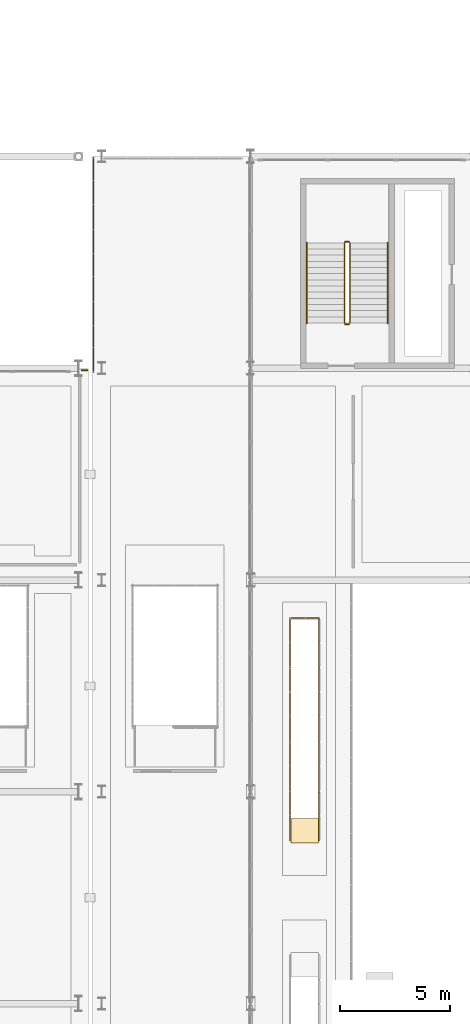
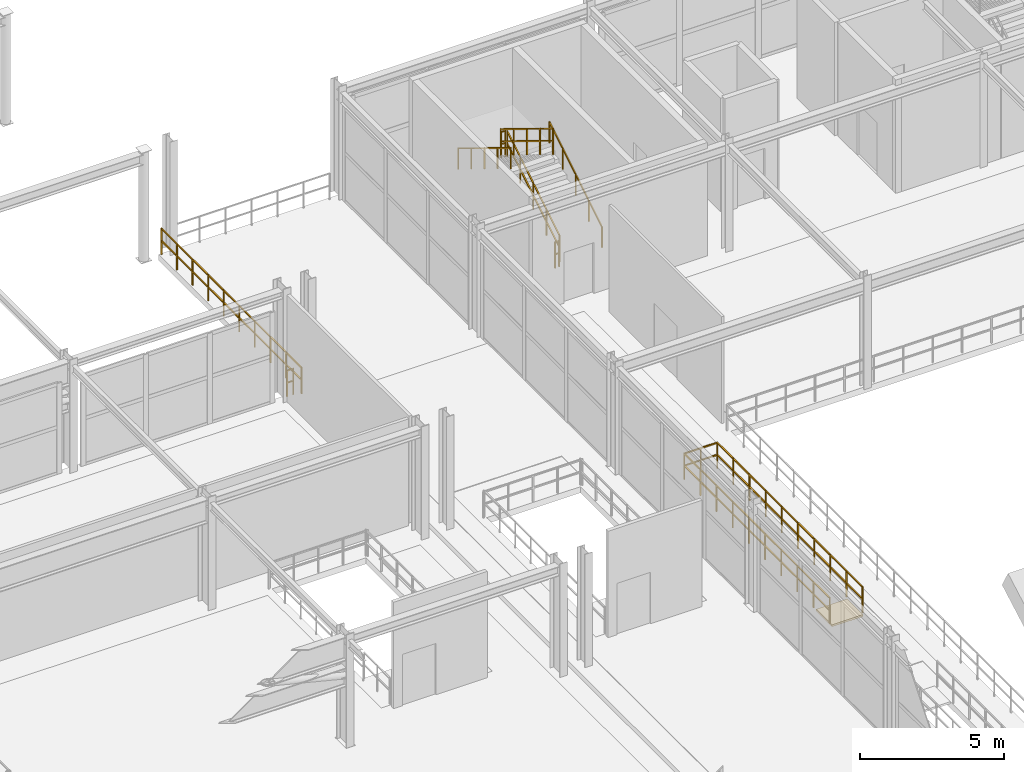
# One storey, part 106 of 125: 9 railings, 1 covering.
"""IFC4 building model written with IfcOpenShell, lengths in metres."""

import ifcopenshell
import ifcopenshell.guid

model = None  # the IFC model being written
_history = None  # IfcOwnerHistory: only IFC2X3 demands one
_inside = {}  # id of a spatial element -> (the spatial element, [elements in it])
_under = {}  # id of a project, library or spatial element -> (it, [spatial elements below it])
_declared = {}  # id of a project -> (the project, [libraries it declares])
_typed = {}  # id of a type object -> (the type object, [elements of that type])
_made_of = {}  # id of a material, layer set ... -> (it, [elements and type objects made of it])


def new_model(schema):
    """Start an empty IFC model of exactly this schema.

    Asked for "IFC4X3", IfcOpenShell would pick the latest addendum, in which some entities
    have other attributes; the version numbers below select the first issue.
    IFC2X3 requires an IfcOwnerHistory on every rooted entity: one is made here for all.
    """
    global model, _history
    if schema == "IFC4X3":
        model = ifcopenshell.file(schema_version=(4, 3, 0, 0))
    else:
        model = ifcopenshell.file(schema=schema)
    _inside.clear()
    _under.clear()
    _declared.clear()
    _typed.clear()
    _made_of.clear()
    _history = None
    if model.schema == "IFC2X3":
        org = make("IfcOrganization", Name="unknown")
        user = make(
            "IfcPersonAndOrganization",
            ThePerson=make("IfcPerson", FamilyName="unknown"),
            TheOrganization=org,
        )
        app = make(
            "IfcApplication",
            ApplicationDeveloper=org,
            Version="unknown",
            ApplicationFullName="unknown",
            ApplicationIdentifier="unknown",
        )
        _history = make(
            "IfcOwnerHistory",
            OwningUser=user,
            OwningApplication=app,
            ChangeAction="ADDED",
            CreationDate=0,
        )
    return model


def make(cls, **values):
    """One entity of the class cls with the attributes given. An attribute that is None is left unset."""
    return model.create_entity(
        cls, **{name: value for name, value in values.items() if value is not None}
    )


def rooted(cls, **values):
    """An entity with a GlobalId (a new one), such as an element, a storey or a relation."""
    return make(cls, GlobalId=ifcopenshell.guid.new(), OwnerHistory=_history, **values)


def si_unit(unit_type, name, prefix=None):
    """IfcSIUnit, for example si_unit("LENGTHUNIT", "METRE", prefix="MILLI")."""
    return make("IfcSIUnit", UnitType=unit_type, Prefix=prefix, Name=name)


def assignment(units):
    """IfcUnitAssignment: the units of a project."""
    return None if units is None else make("IfcUnitAssignment", Units=units)


def point(xyz):
    """IfcCartesianPoint."""
    return None if xyz is None else make("IfcCartesianPoint", Coordinates=xyz)


def direction(xyz):
    """IfcDirection."""
    return None if xyz is None else make("IfcDirection", DirectionRatios=xyz)


def frame(location, z_axis=None, x_axis=None):
    """IfcAxis2Placement3D, a coordinate frame: its origin and axes. An axis left out is left unset."""
    return make(
        "IfcAxis2Placement3D",
        Location=point(location),
        Axis=direction(z_axis),
        RefDirection=direction(x_axis),
    )


def frame_2d(location, x_axis=None):
    """IfcAxis2Placement2D, a coordinate frame in the plane: its origin and x axis."""
    return make(
        "IfcAxis2Placement2D", Location=point(location), RefDirection=direction(x_axis)
    )


def origin():
    """The frame at (0, 0, 0) with its axes left unset."""
    return frame((0.0, 0.0, 0.0))


def origin_2d():
    """The frame at (0, 0) in the plane with its x axis left unset."""
    return frame_2d((0.0, 0.0))


def place(relative_to, where):
    """IfcLocalPlacement: puts the frame where relative to a parent placement (None: the world)."""
    return make(
        "IfcLocalPlacement", PlacementRelTo=relative_to, RelativePlacement=where
    )


def context(
    kind, dimensions, precision=None, world=None, true_north=None, identifier=None
):
    """IfcGeometricRepresentationContext, for example the 3D "Model" context."""
    return make(
        "IfcGeometricRepresentationContext",
        ContextIdentifier=identifier,
        ContextType=kind,
        CoordinateSpaceDimension=dimensions,
        Precision=precision,
        WorldCoordinateSystem=world,
        TrueNorth=true_north,
    )


def subcontext(parent, identifier, kind, view, scale=None):
    """IfcGeometricRepresentationSubContext, for example "Body" below "Model"."""
    return make(
        "IfcGeometricRepresentationSubContext",
        ContextIdentifier=identifier,
        ContextType=kind,
        ParentContext=parent,
        TargetScale=scale,
        TargetView=view,
    )


def project(units=None, contexts=None):
    """IfcProject with its units and contexts."""
    return rooted(
        "IfcProject",
        Name="project",
        RepresentationContexts=contexts,
        UnitsInContext=assignment(units),
    )


def spatial(cls, under=None, at=None, **own):
    """A site, building, storey or space (cls), placed at a placement, below another one or the project."""
    s = rooted(cls, ObjectPlacement=at, **own)
    if under is not None:
        _under.setdefault(under.id(), (under, []))[1].append(s)
    return s


def polyline(points):
    """IfcPolyline through the points."""
    return make("IfcPolyline", Points=[point(p) for p in points])


def profile(cls, at=None, kind="AREA", **sizes):
    """A parametric profile (cls). Its sizes go by their IFC names, for example OverallWidth=200.0."""
    return make(cls, ProfileType=kind, Position=at, **sizes)


def rectangle(**sizes):
    """IfcRectangleProfileDef."""
    return profile("IfcRectangleProfileDef", **sizes)


def outline(outer, holes=None, kind="AREA"):
    """IfcArbitraryClosedProfileDef: a profile drawn as a closed curve; with holes, ...WithVoids."""
    if holes is None:
        return make("IfcArbitraryClosedProfileDef", ProfileType=kind, OuterCurve=outer)
    return make(
        "IfcArbitraryProfileDefWithVoids",
        ProfileType=kind,
        OuterCurve=outer,
        InnerCurves=holes,
    )


def extrude(swept, where, along, depth):
    """IfcExtrudedAreaSolid: the profile swept, set in the frame where, extruded along a direction by depth."""
    return make(
        "IfcExtrudedAreaSolid",
        SweptArea=swept,
        Position=where,
        ExtrudedDirection=direction(along),
        Depth=depth,
    )


def shape(context_of_items, identifier, shape_type, items):
    """IfcShapeRepresentation: the items that make up one representation, for example the "Body"."""
    return make(
        "IfcShapeRepresentation",
        ContextOfItems=context_of_items,
        RepresentationIdentifier=identifier,
        RepresentationType=shape_type,
        Items=items,
    )


def material(Name=None, Category=None):
    """IfcMaterial."""
    return make("IfcMaterial", Name=Name, Category=Category)


def layer(
    of_material, thickness, ventilated=None, Name=None, Category=None, Priority=None
):
    """IfcMaterialLayer: one layer of a wall or slab, of a material (None: an air gap)."""
    return make(
        "IfcMaterialLayer",
        Material=of_material,
        LayerThickness=thickness,
        IsVentilated=ventilated,
        Name=Name,
        Category=Category,
        Priority=Priority,
    )


def layer_set(layers, Name=None):
    """IfcMaterialLayerSet."""
    return make("IfcMaterialLayerSet", MaterialLayers=layers, LayerSetName=Name)


def made_of(thing, what):
    """Note that an element or type object is made of a material, layer set ...; save() writes the relation."""
    if what is not None:
        _made_of.setdefault(what.id(), (what, []))[1].append(thing)
    return thing


def type_object(cls, material=None, **own):
    """A type object (cls), such as IfcWallType, which elements share."""
    return made_of(rooted(cls, **own), material)


def element(
    cls,
    number,
    at=None,
    inside=None,
    cuts=None,
    type_object=None,
    material=None,
    context=None,
    identifier="Body",
    shape_type=None,
    held_by="IfcProductDefinitionShape",
    body=None,
    shapes=None,
    **own,
):
    """One element of the class cls, such as IfcWall. Its Tag is "e" and its number.

    at: its placement. inside: the storey or other place that contains it. cuts: it is an
    opening in that element (IfcRelVoidsElement). A single representation is given by context,
    identifier, shape_type and body (its items); several are given by shapes. held_by: the class
    of the entity that holds the representations. save() writes the other relations.
    """
    e = rooted(cls, Tag="e%d" % number, ObjectPlacement=at, **own)
    if body is not None:
        shapes = [shape(context, identifier, shape_type, body)]
    if shapes is not None:
        e.Representation = make(held_by, Representations=shapes)
    if inside is not None:
        _inside.setdefault(inside.id(), (inside, []))[1].append(e)
    if cuts is not None:
        rooted(
            "IfcRelVoidsElement", RelatingBuildingElement=cuts, RelatedOpeningElement=e
        )
    if type_object is not None:
        _typed.setdefault(type_object.id(), (type_object, []))[1].append(e)
    return made_of(e, material)


def aggregate(whole, parts):
    """IfcRelAggregates: a whole, such as a stair, and the parts it consists of."""
    return rooted("IfcRelAggregates", RelatingObject=whole, RelatedObjects=parts)


def save(model, path):
    """Write the relations noted so far, then the file.

    IfcRelAggregates (storeys below a building ...), IfcRelContainedInSpatialStructure (elements
    in a storey), IfcRelDefinesByType, IfcRelAssociatesMaterial and IfcRelDeclares: one each for
    every whole, place, type object, material and project.
    """
    for whole, parts in _under.values():
        aggregate(whole, parts)
    for where, things in _inside.values():
        rooted(
            "IfcRelContainedInSpatialStructure",
            RelatedElements=things,
            RelatingStructure=where,
        )
    for kind, things in _typed.values():
        rooted("IfcRelDefinesByType", RelatedObjects=things, RelatingType=kind)
    for what, things in _made_of.values():
        rooted("IfcRelAssociatesMaterial", RelatedObjects=things, RelatingMaterial=what)
    for by, libraries in _declared.values():
        rooted("IfcRelDeclares", RelatingContext=by, RelatedDefinitions=libraries)
    model.write(path)


model = new_model("IFC4")

# Units and contexts
model_context = context("Model", 3, precision=1e-05, world=origin(), true_north=direction((0.0, 1.0)))
body_context = subcontext(model_context, "Body", "Model", "MODEL_VIEW")
ifc_project = project(units=[si_unit("LENGTHUNIT", "METRE"), si_unit("AREAUNIT", "SQUARE_METRE"), si_unit("VOLUMEUNIT", "CUBIC_METRE"), si_unit("PLANEANGLEUNIT", "RADIAN"), si_unit("MASSUNIT", "GRAM", prefix="KILO")], contexts=[model_context])

# Site, building, storey
site_placement = place(None, origin())
site = spatial("IfcSite", under=ifc_project, at=site_placement, CompositionType="ELEMENT")
building_placement = place(site_placement, origin())
building = spatial("IfcBuilding", under=site, at=building_placement, Name="Myrtia Square Station", CompositionType="ELEMENT")
storey_placement = place(building_placement, frame((0.0, 0.0, 6.0)))
storey = spatial("IfcBuildingStorey", under=building, at=storey_placement, Name="L01", CompositionType="ELEMENT", Elevation=6.0)

# Covering
ifc_material_1 = material(Name="Terrazzo stone tile", Category="masonry")
ifc_layer = layer(ifc_material_1, 0.02490234375, Name="Terrazzo stone tile")
ifc_layer_set = layer_set([ifc_layer], Name="Terrazzo stone tile")
covering_type = type_object("IfcCoveringType", Name="COV-FLR-TERRAZZO", PredefinedType="FLOORING", material=ifc_layer_set)
covering_placement = place(storey_placement, frame((0.0, 0.0, -0.080078125)))
element("IfcCovering", 1, at=covering_placement, inside=storey, type_object=covering_type, Name="Escalator ESC-06 upper comb landing", PredefinedType="FLOORING", context=body_context, shape_type="SweptSolid", body=[
    extrude(outline(polyline([(81.179931640625, 64.889892578125), (82.419921875, 64.889892578125), (82.419921875, 65.989990234375), (81.179931640625, 65.989990234375), (81.179931640625, 64.889892578125)])), origin(), (0.0, 0.0, 1.0), 0.080078125),
])

# Railings
ifc_material_2 = material(Name="Dark bronze anodised aluminium", Category="aluminium")
railing_type_1 = type_object("IfcRailingType", Name="RL-HANDRAIL-900", PredefinedType="HANDRAIL", material=ifc_material_2)
railing_1_placement = place(storey_placement, frame((85.56005859375, 88.449951171875, 0.17138671875)))
element("IfcRailing", 2, at=railing_1_placement, inside=storey, type_object=railing_type_1, Name="L01 ST02 stair handrail 1", PredefinedType="HANDRAIL", context=body_context, shape_type="SweptSolid", body=[
    extrude(rectangle(XDim=0.048095703125, YDim=0.048095703125, at=origin_2d()), frame((0.0, 0.029541015625, 0.89404296875), z_axis=(0.0, 0.852865859571, 0.52213008492), x_axis=(-1.0, 0.0, 0.0)), (0.0, 0.0, 1.0), 0.997802734375),
    extrude(rectangle(XDim=0.048095703125, YDim=0.048095703125, at=origin_2d()), frame((0.0, 0.939697265625, 1.451171875), z_axis=(0.0, 0.852865859571, 0.52213008492), x_axis=(-1.0, 0.0, 0.0)), (0.0, 0.0, 1.0), 0.997802734375),
    extrude(rectangle(XDim=0.048095703125, YDim=0.048095703125, at=origin_2d()), frame((0.0, 1.849609375, 2.00830078125), z_axis=(0.0, 0.852865859571, 0.52213008492), x_axis=(-1.0, 0.0, 0.0)), (0.0, 0.0, 1.0), 0.997802734375),
    extrude(rectangle(XDim=0.048095703125, YDim=0.048095703125, at=origin_2d()), frame((0.0, 2.759765625, 2.5654296875), z_axis=(0.0, 0.852865859571, 0.52213008492), x_axis=(-1.0, 0.0, 0.0)), (0.0, 0.0, 1.0), 0.997802734375),
    extrude(rectangle(XDim=0.0439453125, YDim=0.0439453125, at=origin_2d()), origin(), (0.0, 0.0, 1.0), 0.89990234375),
    extrude(rectangle(XDim=0.0439453125, YDim=0.0439453125, at=origin_2d()), frame((0.0, 0.91015625, 0.55712890625)), (0.0, 0.0, 1.0), 0.89990234375),
    extrude(rectangle(XDim=0.0439453125, YDim=0.0439453125, at=origin_2d()), frame((0.0, 1.820068359375, 1.1142578125)), (0.0, 0.0, 1.0), 0.89990234375),
    extrude(rectangle(XDim=0.0439453125, YDim=0.0439453125, at=origin_2d()), frame((0.0, 2.72998046875, 1.67138671875)), (0.0, 0.0, 1.0), 0.89990234375),
    extrude(rectangle(XDim=0.0439453125, YDim=0.0439453125, at=origin_2d()), frame((0.0, 3.64013671875, 2.228515625)), (0.0, 0.0, 1.0), 0.89990234375),
])
railing_2_placement = place(storey_placement, frame((81.89990234375, 92.090087890625, 2.571533203125)))
element("IfcRailing", 3, at=railing_2_placement, inside=storey, type_object=railing_type_1, Name="L01 ST02 stair handrail 2", PredefinedType="HANDRAIL", context=body_context, shape_type="SweptSolid", body=[
    extrude(rectangle(XDim=0.048095703125, YDim=0.048095703125, at=origin_2d()), frame((0.0, -0.029541015625, 0.89404296875), z_axis=(0.0, -0.852865859571, 0.52213008492), x_axis=(1.0, 0.0, 0.0)), (0.0, 0.0, 1.0), 0.997802734375),
    extrude(rectangle(XDim=0.048095703125, YDim=0.048095703125, at=origin_2d()), frame((0.0, -0.939697265625, 1.451171875), z_axis=(0.0, -0.852865859571, 0.52213008492), x_axis=(1.0, 0.0, 0.0)), (0.0, 0.0, 1.0), 0.997802734375),
    extrude(rectangle(XDim=0.048095703125, YDim=0.048095703125, at=origin_2d()), frame((0.0, -1.849609375, 2.00830078125), z_axis=(0.0, -0.852865859571, 0.52213008492), x_axis=(1.0, 0.0, 0.0)), (0.0, 0.0, 1.0), 0.997802734375),
    extrude(rectangle(XDim=0.048095703125, YDim=0.048095703125, at=origin_2d()), frame((0.0, -2.759765625, 2.5654296875), z_axis=(0.0, -0.852865859571, 0.52213008492), x_axis=(1.0, 0.0, 0.0)), (0.0, 0.0, 1.0), 0.997802734375),
    extrude(rectangle(XDim=0.0439453125, YDim=0.0439453125, at=origin_2d()), origin(), (0.0, 0.0, 1.0), 0.89990234375),
    extrude(rectangle(XDim=0.0439453125, YDim=0.0439453125, at=origin_2d()), frame((0.0, -0.91015625, 0.55712890625)), (0.0, 0.0, 1.0), 0.89990234375),
    extrude(rectangle(XDim=0.0439453125, YDim=0.0439453125, at=origin_2d()), frame((0.0, -1.820068359375, 1.1142578125)), (0.0, 0.0, 1.0), 0.89990234375),
    extrude(rectangle(XDim=0.0439453125, YDim=0.0439453125, at=origin_2d()), frame((0.0, -2.72998046875, 1.67138671875)), (0.0, 0.0, 1.0), 0.89990234375),
    extrude(rectangle(XDim=0.0439453125, YDim=0.0439453125, at=origin_2d()), frame((0.0, -3.64013671875, 2.228515625)), (0.0, 0.0, 1.0), 0.89990234375),
])
ifc_material_3 = material(Name="Wrought iron", Category="steel")
railing_type_2 = type_object("IfcRailingType", Name="RL-INT-GUARD-1100", PredefinedType="BALUSTRADE", material=ifc_material_3)
railing_3_placement = place(storey_placement, frame((83.860107421875, 88.449951171875, 0.17138671875)))
element("IfcRailing", 4, at=railing_3_placement, inside=storey, type_object=railing_type_2, Name="L01 ST02 stair guard 1", PredefinedType="BALUSTRADE", context=body_context, shape_type="SweptSolid", body=[
    extrude(rectangle(XDim=0.048095703125, YDim=0.048095703125, at=origin_2d()), frame((0.0, 0.029541015625, 1.1142578125), z_axis=(0.0, 0.852865859571, 0.52213008492), x_axis=(-1.0, 0.0, 0.0)), (0.0, 0.0, 1.0), 0.997802734375),
    extrude(rectangle(XDim=0.048095703125, YDim=0.048095703125, at=origin_2d()), frame((0.0, 0.029541015625, 0.6005859375), z_axis=(0.0, 0.852865859571, 0.52213008492), x_axis=(-1.0, 0.0, 0.0)), (0.0, 0.0, 1.0), 0.997802734375),
    extrude(rectangle(XDim=0.048095703125, YDim=0.048095703125, at=origin_2d()), frame((0.0, 0.939697265625, 1.67138671875), z_axis=(0.0, 0.852865859571, 0.52213008492), x_axis=(-1.0, 0.0, 0.0)), (0.0, 0.0, 1.0), 0.997802734375),
    extrude(rectangle(XDim=0.048095703125, YDim=0.048095703125, at=origin_2d()), frame((0.0, 0.939697265625, 1.15771484375), z_axis=(0.0, 0.852865859571, 0.52213008492), x_axis=(-1.0, 0.0, 0.0)), (0.0, 0.0, 1.0), 0.997802734375),
    extrude(rectangle(XDim=0.048095703125, YDim=0.048095703125, at=origin_2d()), frame((0.0, 1.849609375, 2.228515625), z_axis=(0.0, 0.852865859571, 0.52213008492), x_axis=(-1.0, 0.0, 0.0)), (0.0, 0.0, 1.0), 0.997802734375),
    extrude(rectangle(XDim=0.048095703125, YDim=0.048095703125, at=origin_2d()), frame((0.0, 1.849609375, 1.71484375), z_axis=(0.0, 0.852865859571, 0.52213008492), x_axis=(-1.0, 0.0, 0.0)), (0.0, 0.0, 1.0), 0.997802734375),
    extrude(rectangle(XDim=0.048095703125, YDim=0.048095703125, at=origin_2d()), frame((0.0, 2.759765625, 2.78564453125), z_axis=(0.0, 0.852865859571, 0.52213008492), x_axis=(-1.0, 0.0, 0.0)), (0.0, 0.0, 1.0), 0.997802734375),
    extrude(rectangle(XDim=0.048095703125, YDim=0.048095703125, at=origin_2d()), frame((0.0, 2.759765625, 2.27197265625), z_axis=(0.0, 0.852865859571, 0.52213008492), x_axis=(-1.0, 0.0, 0.0)), (0.0, 0.0, 1.0), 0.997802734375),
    extrude(rectangle(XDim=0.0439453125, YDim=0.0439453125, at=origin_2d()), origin(), (0.0, 0.0, 1.0), 1.1201171875),
    extrude(rectangle(XDim=0.0439453125, YDim=0.0439453125, at=origin_2d()), frame((0.0, 0.91015625, 0.55712890625)), (0.0, 0.0, 1.0), 1.1201171875),
    extrude(rectangle(XDim=0.0439453125, YDim=0.0439453125, at=origin_2d()), frame((0.0, 1.820068359375, 1.1142578125)), (0.0, 0.0, 1.0), 1.1201171875),
    extrude(rectangle(XDim=0.0439453125, YDim=0.0439453125, at=origin_2d()), frame((0.0, 2.72998046875, 1.67138671875)), (0.0, 0.0, 1.0), 1.1201171875),
    extrude(rectangle(XDim=0.0439453125, YDim=0.0439453125, at=origin_2d()), frame((0.0, 3.64013671875, 2.228515625)), (0.0, 0.0, 1.0), 1.1201171875),
])
railing_4_placement = place(storey_placement, frame((83.81005859375, 92.139892578125, 2.39990234375)))
element("IfcRailing", 5, at=railing_4_placement, inside=storey, type_object=railing_type_2, Name="L01 ST02 stair guard 2", PredefinedType="BALUSTRADE", context=body_context, shape_type="SweptSolid", body=[
    extrude(rectangle(XDim=0.048095703125, YDim=0.048095703125, at=origin_2d()), frame((-0.03466796875, 0.0, 1.09619140625), z_axis=(-1.0, 0.0, 0.0), x_axis=(0.0, -1.0, 0.0)), (0.0, 0.0, 1.0), 0.0908203125),
    extrude(rectangle(XDim=0.048095703125, YDim=0.048095703125, at=origin_2d()), frame((-0.03466796875, 0.0, 0.58251953125), z_axis=(-1.0, 0.0, 0.0), x_axis=(0.0, -1.0, 0.0)), (0.0, 0.0, 1.0), 0.0908203125),
    extrude(rectangle(XDim=0.0439453125, YDim=0.0439453125, at=origin_2d()), origin(), (0.0, 0.0, 1.0), 1.1201171875),
    extrude(rectangle(XDim=0.0439453125, YDim=0.0439453125, at=origin_2d()), frame((-0.16015625, 0.0, 0.0)), (0.0, 0.0, 1.0), 1.1201171875),
])
railing_5_placement = place(storey_placement, frame((83.60009765625, 92.090087890625, 2.571533203125)))
element("IfcRailing", 6, at=railing_5_placement, inside=storey, type_object=railing_type_2, Name="L01 ST02 stair guard 3", PredefinedType="BALUSTRADE", context=body_context, shape_type="SweptSolid", body=[
    extrude(rectangle(XDim=0.048095703125, YDim=0.048095703125, at=origin_2d()), frame((0.0, -0.029541015625, 1.1142578125), z_axis=(0.0, -0.852865859571, 0.52213008492), x_axis=(1.0, 0.0, 0.0)), (0.0, 0.0, 1.0), 0.997802734375),
    extrude(rectangle(XDim=0.048095703125, YDim=0.048095703125, at=origin_2d()), frame((0.0, -0.029541015625, 0.6005859375), z_axis=(0.0, -0.852865859571, 0.52213008492), x_axis=(1.0, 0.0, 0.0)), (0.0, 0.0, 1.0), 0.997802734375),
    extrude(rectangle(XDim=0.048095703125, YDim=0.048095703125, at=origin_2d()), frame((0.0, -0.939697265625, 1.67138671875), z_axis=(0.0, -0.852865859571, 0.52213008492), x_axis=(1.0, 0.0, 0.0)), (0.0, 0.0, 1.0), 0.997802734375),
    extrude(rectangle(XDim=0.048095703125, YDim=0.048095703125, at=origin_2d()), frame((0.0, -0.939697265625, 1.15771484375), z_axis=(0.0, -0.852865859571, 0.52213008492), x_axis=(1.0, 0.0, 0.0)), (0.0, 0.0, 1.0), 0.997802734375),
    extrude(rectangle(XDim=0.048095703125, YDim=0.048095703125, at=origin_2d()), frame((0.0, -1.849609375, 2.228515625), z_axis=(0.0, -0.852865859571, 0.52213008492), x_axis=(1.0, 0.0, 0.0)), (0.0, 0.0, 1.0), 0.997802734375),
    extrude(rectangle(XDim=0.048095703125, YDim=0.048095703125, at=origin_2d()), frame((0.0, -1.849609375, 1.71484375), z_axis=(0.0, -0.852865859571, 0.52213008492), x_axis=(1.0, 0.0, 0.0)), (0.0, 0.0, 1.0), 0.997802734375),
    extrude(rectangle(XDim=0.048095703125, YDim=0.048095703125, at=origin_2d()), frame((0.0, -2.759765625, 2.78564453125), z_axis=(0.0, -0.852865859571, 0.52213008492), x_axis=(1.0, 0.0, 0.0)), (0.0, 0.0, 1.0), 0.997802734375),
    extrude(rectangle(XDim=0.048095703125, YDim=0.048095703125, at=origin_2d()), frame((0.0, -2.759765625, 2.27197265625), z_axis=(0.0, -0.852865859571, 0.52213008492), x_axis=(1.0, 0.0, 0.0)), (0.0, 0.0, 1.0), 0.997802734375),
    extrude(rectangle(XDim=0.0439453125, YDim=0.0439453125, at=origin_2d()), origin(), (0.0, 0.0, 1.0), 1.1201171875),
    extrude(rectangle(XDim=0.0439453125, YDim=0.0439453125, at=origin_2d()), frame((0.0, -0.91015625, 0.55712890625)), (0.0, 0.0, 1.0), 1.1201171875),
    extrude(rectangle(XDim=0.0439453125, YDim=0.0439453125, at=origin_2d()), frame((0.0, -1.820068359375, 1.1142578125)), (0.0, 0.0, 1.0), 1.1201171875),
    extrude(rectangle(XDim=0.0439453125, YDim=0.0439453125, at=origin_2d()), frame((0.0, -2.72998046875, 1.67138671875)), (0.0, 0.0, 1.0), 1.1201171875),
    extrude(rectangle(XDim=0.0439453125, YDim=0.0439453125, at=origin_2d()), frame((0.0, -3.64013671875, 2.228515625)), (0.0, 0.0, 1.0), 1.1201171875),
])
railing_6_placement = place(storey_placement, frame((83.81005859375, 88.39990234375, 0.0)))
element("IfcRailing", 7, at=railing_6_placement, inside=storey, type_object=railing_type_2, Name="L01 ST02 stair guard 4", PredefinedType="BALUSTRADE", context=body_context, shape_type="SweptSolid", body=[
    extrude(rectangle(XDim=0.048095703125, YDim=0.048095703125, at=origin_2d()), frame((-0.03466796875, 0.0, 1.09619140625), z_axis=(-1.0, 0.0, 0.0), x_axis=(0.0, -1.0, 0.0)), (0.0, 0.0, 1.0), 0.0908203125),
    extrude(rectangle(XDim=0.048095703125, YDim=0.048095703125, at=origin_2d()), frame((-0.03466796875, 0.0, 0.58251953125), z_axis=(-1.0, 0.0, 0.0), x_axis=(0.0, -1.0, 0.0)), (0.0, 0.0, 1.0), 0.0908203125),
    extrude(rectangle(XDim=0.0439453125, YDim=0.0439453125, at=origin_2d()), origin(), (0.0, 0.0, 1.0), 1.1201171875),
    extrude(rectangle(XDim=0.0439453125, YDim=0.0439453125, at=origin_2d()), frame((-0.16015625, 0.0, 0.0)), (0.0, 0.0, 1.0), 1.1201171875),
])
railing_7_placement = place(storey_placement, frame((81.139892578125, 64.989990234375, 0.0)))
element("IfcRailing", 8, at=railing_7_placement, inside=storey, type_object=railing_type_2, Name="Escalator ESC-06 upper well guard", PredefinedType="BALUSTRADE", context=body_context, shape_type="SweptSolid", body=[
    extrude(rectangle(XDim=0.048095703125, YDim=0.048095703125, at=origin_2d()), frame((0.0, 0.03466796875, 1.09619140625), z_axis=(0.0, 1.0, 0.0), x_axis=(-1.0, 0.0, 0.0)), (0.0, 0.0, 1.0), 1.0517578125),
    extrude(rectangle(XDim=0.048095703125, YDim=0.048095703125, at=origin_2d()), frame((0.0, 0.03466796875, 0.58251953125), z_axis=(0.0, 1.0, 0.0), x_axis=(-1.0, 0.0, 0.0)), (0.0, 0.0, 1.0), 1.0517578125),
    extrude(rectangle(XDim=0.048095703125, YDim=0.048095703125, at=origin_2d()), frame((0.0, 1.15576171875, 1.09619140625), z_axis=(0.0, 1.0, 0.0), x_axis=(-1.0, 0.0, 0.0)), (0.0, 0.0, 1.0), 1.0517578125),
    extrude(rectangle(XDim=0.048095703125, YDim=0.048095703125, at=origin_2d()), frame((0.0, 1.15576171875, 0.58251953125), z_axis=(0.0, 1.0, 0.0), x_axis=(-1.0, 0.0, 0.0)), (0.0, 0.0, 1.0), 1.0517578125),
    extrude(rectangle(XDim=0.048095703125, YDim=0.048095703125, at=origin_2d()), frame((0.0, 2.27685546875, 1.09619140625), z_axis=(0.0, 1.0, 0.0), x_axis=(-1.0, 0.0, 0.0)), (0.0, 0.0, 1.0), 1.0517578125),
    extrude(rectangle(XDim=0.048095703125, YDim=0.048095703125, at=origin_2d()), frame((0.0, 2.27685546875, 0.58251953125), z_axis=(0.0, 1.0, 0.0), x_axis=(-1.0, 0.0, 0.0)), (0.0, 0.0, 1.0), 1.0517578125),
    extrude(rectangle(XDim=0.048095703125, YDim=0.048095703125, at=origin_2d()), frame((0.0, 3.39794921875, 1.09619140625), z_axis=(0.0, 1.0, 0.0), x_axis=(-1.0, 0.0, 0.0)), (0.0, 0.0, 1.0), 1.0517578125),
    extrude(rectangle(XDim=0.048095703125, YDim=0.048095703125, at=origin_2d()), frame((0.0, 3.39794921875, 0.58251953125), z_axis=(0.0, 1.0, 0.0), x_axis=(-1.0, 0.0, 0.0)), (0.0, 0.0, 1.0), 1.0517578125),
    extrude(rectangle(XDim=0.048095703125, YDim=0.048095703125, at=origin_2d()), frame((0.0, 4.51904296875, 1.09619140625), z_axis=(0.0, 1.0, 0.0), x_axis=(-1.0, 0.0, 0.0)), (0.0, 0.0, 1.0), 1.0517578125),
    extrude(rectangle(XDim=0.048095703125, YDim=0.048095703125, at=origin_2d()), frame((0.0, 4.51904296875, 0.58251953125), z_axis=(0.0, 1.0, 0.0), x_axis=(-1.0, 0.0, 0.0)), (0.0, 0.0, 1.0), 1.0517578125),
    extrude(rectangle(XDim=0.048095703125, YDim=0.048095703125, at=origin_2d()), frame((0.0, 5.64013671875, 1.09619140625), z_axis=(0.0, 1.0, 0.0), x_axis=(-1.0, 0.0, 0.0)), (0.0, 0.0, 1.0), 1.0517578125),
    extrude(rectangle(XDim=0.048095703125, YDim=0.048095703125, at=origin_2d()), frame((0.0, 5.64013671875, 0.58251953125), z_axis=(0.0, 1.0, 0.0), x_axis=(-1.0, 0.0, 0.0)), (0.0, 0.0, 1.0), 1.0517578125),
    extrude(rectangle(XDim=0.048095703125, YDim=0.048095703125, at=origin_2d()), frame((0.0, 6.761474609375, 1.09619140625), z_axis=(0.0, 1.0, 0.0), x_axis=(-1.0, 0.0, 0.0)), (0.0, 0.0, 1.0), 1.0517578125),
    extrude(rectangle(XDim=0.048095703125, YDim=0.048095703125, at=origin_2d()), frame((0.0, 6.761474609375, 0.58251953125), z_axis=(0.0, 1.0, 0.0), x_axis=(-1.0, 0.0, 0.0)), (0.0, 0.0, 1.0), 1.0517578125),
    extrude(rectangle(XDim=0.048095703125, YDim=0.048095703125, at=origin_2d()), frame((0.0, 7.882568359375, 1.09619140625), z_axis=(0.0, 1.0, 0.0), x_axis=(-1.0, 0.0, 0.0)), (0.0, 0.0, 1.0), 1.0517578125),
    extrude(rectangle(XDim=0.048095703125, YDim=0.048095703125, at=origin_2d()), frame((0.0, 7.882568359375, 0.58251953125), z_axis=(0.0, 1.0, 0.0), x_axis=(-1.0, 0.0, 0.0)), (0.0, 0.0, 1.0), 1.0517578125),
    extrude(rectangle(XDim=0.048095703125, YDim=0.048095703125, at=origin_2d()), frame((0.0, 9.003662109375, 1.09619140625), z_axis=(0.0, 1.0, 0.0), x_axis=(-1.0, 0.0, 0.0)), (0.0, 0.0, 1.0), 1.0517578125),
    extrude(rectangle(XDim=0.048095703125, YDim=0.048095703125, at=origin_2d()), frame((0.0, 9.003662109375, 0.58251953125), z_axis=(0.0, 1.0, 0.0), x_axis=(-1.0, 0.0, 0.0)), (0.0, 0.0, 1.0), 1.0517578125),
    extrude(rectangle(XDim=0.048095703125, YDim=0.048095703125, at=origin_2d()), frame((0.03466796875, 10.090087890625, 1.09619140625), z_axis=(1.0, 0.0, 0.0), x_axis=(0.0, 1.0, 0.0)), (0.0, 0.0, 1.0), 0.5908203125),
    extrude(rectangle(XDim=0.048095703125, YDim=0.048095703125, at=origin_2d()), frame((0.03466796875, 10.090087890625, 0.58251953125), z_axis=(1.0, 0.0, 0.0), x_axis=(0.0, 1.0, 0.0)), (0.0, 0.0, 1.0), 0.5908203125),
    extrude(rectangle(XDim=0.048095703125, YDim=0.048095703125, at=origin_2d()), frame((0.694580078125, 10.090087890625, 1.09619140625), z_axis=(1.0, 0.0, 0.0), x_axis=(0.0, 1.0, 0.0)), (0.0, 0.0, 1.0), 0.5908203125),
    extrude(rectangle(XDim=0.048095703125, YDim=0.048095703125, at=origin_2d()), frame((0.694580078125, 10.090087890625, 0.58251953125), z_axis=(1.0, 0.0, 0.0), x_axis=(0.0, 1.0, 0.0)), (0.0, 0.0, 1.0), 0.5908203125),
    extrude(rectangle(XDim=0.048095703125, YDim=0.048095703125, at=origin_2d()), frame((1.320068359375, 10.055419921875, 1.09619140625), z_axis=(0.0, -1.0, 0.0), x_axis=(1.0, 0.0, 0.0)), (0.0, 0.0, 1.0), 1.0517578125),
    extrude(rectangle(XDim=0.048095703125, YDim=0.048095703125, at=origin_2d()), frame((1.320068359375, 10.055419921875, 0.58251953125), z_axis=(0.0, -1.0, 0.0), x_axis=(1.0, 0.0, 0.0)), (0.0, 0.0, 1.0), 1.0517578125),
    extrude(rectangle(XDim=0.048095703125, YDim=0.048095703125, at=origin_2d()), frame((1.320068359375, 8.934326171875, 1.09619140625), z_axis=(0.0, -1.0, 0.0), x_axis=(1.0, 0.0, 0.0)), (0.0, 0.0, 1.0), 1.0517578125),
    extrude(rectangle(XDim=0.048095703125, YDim=0.048095703125, at=origin_2d()), frame((1.320068359375, 8.934326171875, 0.58251953125), z_axis=(0.0, -1.0, 0.0), x_axis=(1.0, 0.0, 0.0)), (0.0, 0.0, 1.0), 1.0517578125),
    extrude(rectangle(XDim=0.048095703125, YDim=0.048095703125, at=origin_2d()), frame((1.320068359375, 7.813232421875, 1.09619140625), z_axis=(0.0, -1.0, 0.0), x_axis=(1.0, 0.0, 0.0)), (0.0, 0.0, 1.0), 1.0517578125),
    extrude(rectangle(XDim=0.048095703125, YDim=0.048095703125, at=origin_2d()), frame((1.320068359375, 7.813232421875, 0.58251953125), z_axis=(0.0, -1.0, 0.0), x_axis=(1.0, 0.0, 0.0)), (0.0, 0.0, 1.0), 1.0517578125),
    extrude(rectangle(XDim=0.048095703125, YDim=0.048095703125, at=origin_2d()), frame((1.320068359375, 6.692138671875, 1.09619140625), z_axis=(0.0, -1.0, 0.0), x_axis=(1.0, 0.0, 0.0)), (0.0, 0.0, 1.0), 1.0517578125),
    extrude(rectangle(XDim=0.048095703125, YDim=0.048095703125, at=origin_2d()), frame((1.320068359375, 6.692138671875, 0.58251953125), z_axis=(0.0, -1.0, 0.0), x_axis=(1.0, 0.0, 0.0)), (0.0, 0.0, 1.0), 1.0517578125),
    extrude(rectangle(XDim=0.048095703125, YDim=0.048095703125, at=origin_2d()), frame((1.320068359375, 5.571044921875, 1.09619140625), z_axis=(0.0, -1.0, 0.0), x_axis=(1.0, 0.0, 0.0)), (0.0, 0.0, 1.0), 1.0517578125),
    extrude(rectangle(XDim=0.048095703125, YDim=0.048095703125, at=origin_2d()), frame((1.320068359375, 5.571044921875, 0.58251953125), z_axis=(0.0, -1.0, 0.0), x_axis=(1.0, 0.0, 0.0)), (0.0, 0.0, 1.0), 1.0517578125),
    extrude(rectangle(XDim=0.048095703125, YDim=0.048095703125, at=origin_2d()), frame((1.320068359375, 4.449951171875, 1.09619140625), z_axis=(0.0, -1.0, 0.0), x_axis=(1.0, 0.0, 0.0)), (0.0, 0.0, 1.0), 1.0517578125),
    extrude(rectangle(XDim=0.048095703125, YDim=0.048095703125, at=origin_2d()), frame((1.320068359375, 4.449951171875, 0.58251953125), z_axis=(0.0, -1.0, 0.0), x_axis=(1.0, 0.0, 0.0)), (0.0, 0.0, 1.0), 1.0517578125),
    extrude(rectangle(XDim=0.048095703125, YDim=0.048095703125, at=origin_2d()), frame((1.320068359375, 3.32861328125, 1.09619140625), z_axis=(0.0, -1.0, 0.0), x_axis=(1.0, 0.0, 0.0)), (0.0, 0.0, 1.0), 1.0517578125),
    extrude(rectangle(XDim=0.048095703125, YDim=0.048095703125, at=origin_2d()), frame((1.320068359375, 3.32861328125, 0.58251953125), z_axis=(0.0, -1.0, 0.0), x_axis=(1.0, 0.0, 0.0)), (0.0, 0.0, 1.0), 1.0517578125),
    extrude(rectangle(XDim=0.048095703125, YDim=0.048095703125, at=origin_2d()), frame((1.320068359375, 2.20751953125, 1.09619140625), z_axis=(0.0, -1.0, 0.0), x_axis=(1.0, 0.0, 0.0)), (0.0, 0.0, 1.0), 1.0517578125),
    extrude(rectangle(XDim=0.048095703125, YDim=0.048095703125, at=origin_2d()), frame((1.320068359375, 2.20751953125, 0.58251953125), z_axis=(0.0, -1.0, 0.0), x_axis=(1.0, 0.0, 0.0)), (0.0, 0.0, 1.0), 1.0517578125),
    extrude(rectangle(XDim=0.048095703125, YDim=0.048095703125, at=origin_2d()), frame((1.320068359375, 1.08642578125, 1.09619140625), z_axis=(0.0, -1.0, 0.0), x_axis=(1.0, 0.0, 0.0)), (0.0, 0.0, 1.0), 1.0517578125),
    extrude(rectangle(XDim=0.048095703125, YDim=0.048095703125, at=origin_2d()), frame((1.320068359375, 1.08642578125, 0.58251953125), z_axis=(0.0, -1.0, 0.0), x_axis=(1.0, 0.0, 0.0)), (0.0, 0.0, 1.0), 1.0517578125),
    extrude(rectangle(XDim=0.0439453125, YDim=0.0439453125, at=origin_2d()), origin(), (0.0, 0.0, 1.0), 1.1201171875),
    extrude(rectangle(XDim=0.0439453125, YDim=0.0439453125, at=origin_2d()), frame((0.0, 1.12109375, 0.0)), (0.0, 0.0, 1.0), 1.1201171875),
    extrude(rectangle(XDim=0.0439453125, YDim=0.0439453125, at=origin_2d()), frame((0.0, 2.2421875, 0.0)), (0.0, 0.0, 1.0), 1.1201171875),
    extrude(rectangle(XDim=0.0439453125, YDim=0.0439453125, at=origin_2d()), frame((0.0, 3.36328125, 0.0)), (0.0, 0.0, 1.0), 1.1201171875),
    extrude(rectangle(XDim=0.0439453125, YDim=0.0439453125, at=origin_2d()), frame((0.0, 4.484375, 0.0)), (0.0, 0.0, 1.0), 1.1201171875),
    extrude(rectangle(XDim=0.0439453125, YDim=0.0439453125, at=origin_2d()), frame((0.0, 5.605712890625, 0.0)), (0.0, 0.0, 1.0), 1.1201171875),
    extrude(rectangle(XDim=0.0439453125, YDim=0.0439453125, at=origin_2d()), frame((0.0, 6.726806640625, 0.0)), (0.0, 0.0, 1.0), 1.1201171875),
    extrude(rectangle(XDim=0.0439453125, YDim=0.0439453125, at=origin_2d()), frame((0.0, 7.847900390625, 0.0)), (0.0, 0.0, 1.0), 1.1201171875),
    extrude(rectangle(XDim=0.0439453125, YDim=0.0439453125, at=origin_2d()), frame((0.0, 8.968994140625, 0.0)), (0.0, 0.0, 1.0), 1.1201171875),
    extrude(rectangle(XDim=0.0439453125, YDim=0.0439453125, at=origin_2d()), frame((0.0, 10.090087890625, 0.0)), (0.0, 0.0, 1.0), 1.1201171875),
    extrude(rectangle(XDim=0.0439453125, YDim=0.0439453125, at=origin_2d()), frame((0.66015625, 10.090087890625, 0.0)), (0.0, 0.0, 1.0), 1.1201171875),
    extrude(rectangle(XDim=0.0439453125, YDim=0.0439453125, at=origin_2d()), frame((1.320068359375, 10.090087890625, 0.0)), (0.0, 0.0, 1.0), 1.1201171875),
    extrude(rectangle(XDim=0.0439453125, YDim=0.0439453125, at=origin_2d()), frame((1.320068359375, 8.968994140625, 0.0)), (0.0, 0.0, 1.0), 1.1201171875),
    extrude(rectangle(XDim=0.0439453125, YDim=0.0439453125, at=origin_2d()), frame((1.320068359375, 7.847900390625, 0.0)), (0.0, 0.0, 1.0), 1.1201171875),
    extrude(rectangle(XDim=0.0439453125, YDim=0.0439453125, at=origin_2d()), frame((1.320068359375, 6.726806640625, 0.0)), (0.0, 0.0, 1.0), 1.1201171875),
    extrude(rectangle(XDim=0.0439453125, YDim=0.0439453125, at=origin_2d()), frame((1.320068359375, 5.605712890625, 0.0)), (0.0, 0.0, 1.0), 1.1201171875),
    extrude(rectangle(XDim=0.0439453125, YDim=0.0439453125, at=origin_2d()), frame((1.320068359375, 4.484375, 0.0)), (0.0, 0.0, 1.0), 1.1201171875),
    extrude(rectangle(XDim=0.0439453125, YDim=0.0439453125, at=origin_2d()), frame((1.320068359375, 3.36328125, 0.0)), (0.0, 0.0, 1.0), 1.1201171875),
    extrude(rectangle(XDim=0.0439453125, YDim=0.0439453125, at=origin_2d()), frame((1.320068359375, 2.2421875, 0.0)), (0.0, 0.0, 1.0), 1.1201171875),
    extrude(rectangle(XDim=0.0439453125, YDim=0.0439453125, at=origin_2d()), frame((1.320068359375, 1.12109375, 0.0)), (0.0, 0.0, 1.0), 1.1201171875),
    extrude(rectangle(XDim=0.0439453125, YDim=0.0439453125, at=origin_2d()), frame((1.320068359375, 0.0, 0.0)), (0.0, 0.0, 1.0), 1.1201171875),
])
railing_8_placement = place(storey_placement, frame((71.949951171875, 86.320068359375, 0.0)))
element("IfcRailing", 9, at=railing_8_placement, inside=storey, type_object=railing_type_2, Name="Perimeter slab edge balustrade L01-001", PredefinedType="BALUSTRADE", context=body_context, shape_type="SweptSolid", body=[
    extrude(rectangle(XDim=0.048095703125, YDim=0.048095703125, at=origin_2d()), frame((-0.03466796875, 0.0, 1.09619140625), z_axis=(-1.0, 0.0, 0.0), x_axis=(0.0, -1.0, 0.0)), (0.0, 0.0, 1.0), 0.1806640625),
    extrude(rectangle(XDim=0.048095703125, YDim=0.048095703125, at=origin_2d()), frame((-0.03466796875, 0.0, 0.58251953125), z_axis=(-1.0, 0.0, 0.0), x_axis=(0.0, -1.0, 0.0)), (0.0, 0.0, 1.0), 0.1806640625),
    extrude(rectangle(XDim=0.0439453125, YDim=0.0439453125, at=origin_2d()), origin(), (0.0, 0.0, 1.0), 1.1201171875),
    extrude(rectangle(XDim=0.0439453125, YDim=0.0439453125, at=origin_2d()), frame((-0.25, 0.0, 0.0)), (0.0, 0.0, 1.0), 1.1201171875),
])
railing_9_placement = place(storey_placement, frame((72.22998046875, 95.949951171875, 0.0)))
element("IfcRailing", 10, at=railing_9_placement, inside=storey, type_object=railing_type_2, Name="Perimeter slab edge balustrade L01-015", PredefinedType="BALUSTRADE", context=body_context, shape_type="SweptSolid", body=[
    extrude(rectangle(XDim=0.048095703125, YDim=0.048095703125, at=origin_2d()), frame((0.0, -0.03466796875, 1.09619140625), z_axis=(0.0, -1.0, 0.0), x_axis=(1.0, 0.0, 0.0)), (0.0, 0.0, 1.0), 1.01171875),
    extrude(rectangle(XDim=0.048095703125, YDim=0.048095703125, at=origin_2d()), frame((0.0, -0.03466796875, 0.58251953125), z_axis=(0.0, -1.0, 0.0), x_axis=(1.0, 0.0, 0.0)), (0.0, 0.0, 1.0), 1.01171875),
    extrude(rectangle(XDim=0.048095703125, YDim=0.048095703125, at=origin_2d()), frame((0.0, -1.115478515625, 1.09619140625), z_axis=(0.0, -1.0, 0.0), x_axis=(1.0, 0.0, 0.0)), (0.0, 0.0, 1.0), 1.01171875),
    extrude(rectangle(XDim=0.048095703125, YDim=0.048095703125, at=origin_2d()), frame((0.0, -1.115478515625, 0.58251953125), z_axis=(0.0, -1.0, 0.0), x_axis=(1.0, 0.0, 0.0)), (0.0, 0.0, 1.0), 1.01171875),
    extrude(rectangle(XDim=0.048095703125, YDim=0.048095703125, at=origin_2d()), frame((0.0, -2.196533203125, 1.09619140625), z_axis=(0.0, -1.0, 0.0), x_axis=(1.0, 0.0, 0.0)), (0.0, 0.0, 1.0), 1.01171875),
    extrude(rectangle(XDim=0.048095703125, YDim=0.048095703125, at=origin_2d()), frame((0.0, -2.196533203125, 0.58251953125), z_axis=(0.0, -1.0, 0.0), x_axis=(1.0, 0.0, 0.0)), (0.0, 0.0, 1.0), 1.01171875),
    extrude(rectangle(XDim=0.048095703125, YDim=0.048095703125, at=origin_2d()), frame((0.0, -3.27734375, 1.09619140625), z_axis=(0.0, -1.0, 0.0), x_axis=(1.0, 0.0, 0.0)), (0.0, 0.0, 1.0), 1.01171875),
    extrude(rectangle(XDim=0.048095703125, YDim=0.048095703125, at=origin_2d()), frame((0.0, -3.27734375, 0.58251953125), z_axis=(0.0, -1.0, 0.0), x_axis=(1.0, 0.0, 0.0)), (0.0, 0.0, 1.0), 1.01171875),
    extrude(rectangle(XDim=0.048095703125, YDim=0.048095703125, at=origin_2d()), frame((0.0, -4.358154296875, 1.09619140625), z_axis=(0.0, -1.0, 0.0), x_axis=(1.0, 0.0, 0.0)), (0.0, 0.0, 1.0), 1.01171875),
    extrude(rectangle(XDim=0.048095703125, YDim=0.048095703125, at=origin_2d()), frame((0.0, -4.358154296875, 0.58251953125), z_axis=(0.0, -1.0, 0.0), x_axis=(1.0, 0.0, 0.0)), (0.0, 0.0, 1.0), 1.01171875),
    extrude(rectangle(XDim=0.048095703125, YDim=0.048095703125, at=origin_2d()), frame((0.0, -5.439208984375, 1.09619140625), z_axis=(0.0, -1.0, 0.0), x_axis=(1.0, 0.0, 0.0)), (0.0, 0.0, 1.0), 1.01171875),
    extrude(rectangle(XDim=0.048095703125, YDim=0.048095703125, at=origin_2d()), frame((0.0, -5.439208984375, 0.58251953125), z_axis=(0.0, -1.0, 0.0), x_axis=(1.0, 0.0, 0.0)), (0.0, 0.0, 1.0), 1.01171875),
    extrude(rectangle(XDim=0.048095703125, YDim=0.048095703125, at=origin_2d()), frame((0.0, -6.52001953125, 1.09619140625), z_axis=(0.0, -1.0, 0.0), x_axis=(1.0, 0.0, 0.0)), (0.0, 0.0, 1.0), 1.01171875),
    extrude(rectangle(XDim=0.048095703125, YDim=0.048095703125, at=origin_2d()), frame((0.0, -6.52001953125, 0.58251953125), z_axis=(0.0, -1.0, 0.0), x_axis=(1.0, 0.0, 0.0)), (0.0, 0.0, 1.0), 1.01171875),
    extrude(rectangle(XDim=0.048095703125, YDim=0.048095703125, at=origin_2d()), frame((0.0, -7.600830078125, 1.09619140625), z_axis=(0.0, -1.0, 0.0), x_axis=(1.0, 0.0, 0.0)), (0.0, 0.0, 1.0), 1.01171875),
    extrude(rectangle(XDim=0.048095703125, YDim=0.048095703125, at=origin_2d()), frame((0.0, -7.600830078125, 0.58251953125), z_axis=(0.0, -1.0, 0.0), x_axis=(1.0, 0.0, 0.0)), (0.0, 0.0, 1.0), 1.01171875),
    extrude(rectangle(XDim=0.048095703125, YDim=0.048095703125, at=origin_2d()), frame((0.0, -8.681884765625, 1.09619140625), z_axis=(0.0, -1.0, 0.0), x_axis=(1.0, 0.0, 0.0)), (0.0, 0.0, 1.0), 1.01171875),
    extrude(rectangle(XDim=0.048095703125, YDim=0.048095703125, at=origin_2d()), frame((0.0, -8.681884765625, 0.58251953125), z_axis=(0.0, -1.0, 0.0), x_axis=(1.0, 0.0, 0.0)), (0.0, 0.0, 1.0), 1.01171875),
    extrude(rectangle(XDim=0.0439453125, YDim=0.0439453125, at=origin_2d()), origin(), (0.0, 0.0, 1.0), 1.1201171875),
    extrude(rectangle(XDim=0.0439453125, YDim=0.0439453125, at=origin_2d()), frame((0.0, -1.080810546875, 0.0)), (0.0, 0.0, 1.0), 1.1201171875),
    extrude(rectangle(XDim=0.0439453125, YDim=0.0439453125, at=origin_2d()), frame((0.0, -2.161865234375, 0.0)), (0.0, 0.0, 1.0), 1.1201171875),
    extrude(rectangle(XDim=0.0439453125, YDim=0.0439453125, at=origin_2d()), frame((0.0, -3.24267578125, 0.0)), (0.0, 0.0, 1.0), 1.1201171875),
    extrude(rectangle(XDim=0.0439453125, YDim=0.0439453125, at=origin_2d()), frame((0.0, -4.323486328125, 0.0)), (0.0, 0.0, 1.0), 1.1201171875),
    extrude(rectangle(XDim=0.0439453125, YDim=0.0439453125, at=origin_2d()), frame((0.0, -5.404541015625, 0.0)), (0.0, 0.0, 1.0), 1.1201171875),
    extrude(rectangle(XDim=0.0439453125, YDim=0.0439453125, at=origin_2d()), frame((0.0, -6.4853515625, 0.0)), (0.0, 0.0, 1.0), 1.1201171875),
    extrude(rectangle(XDim=0.0439453125, YDim=0.0439453125, at=origin_2d()), frame((0.0, -7.566162109375, 0.0)), (0.0, 0.0, 1.0), 1.1201171875),
    extrude(rectangle(XDim=0.0439453125, YDim=0.0439453125, at=origin_2d()), frame((0.0, -8.647216796875, 0.0)), (0.0, 0.0, 1.0), 1.1201171875),
    extrude(rectangle(XDim=0.0439453125, YDim=0.0439453125, at=origin_2d()), frame((0.0, -9.72802734375, 0.0)), (0.0, 0.0, 1.0), 1.1201171875),
])

save(model, "model.ifc")
